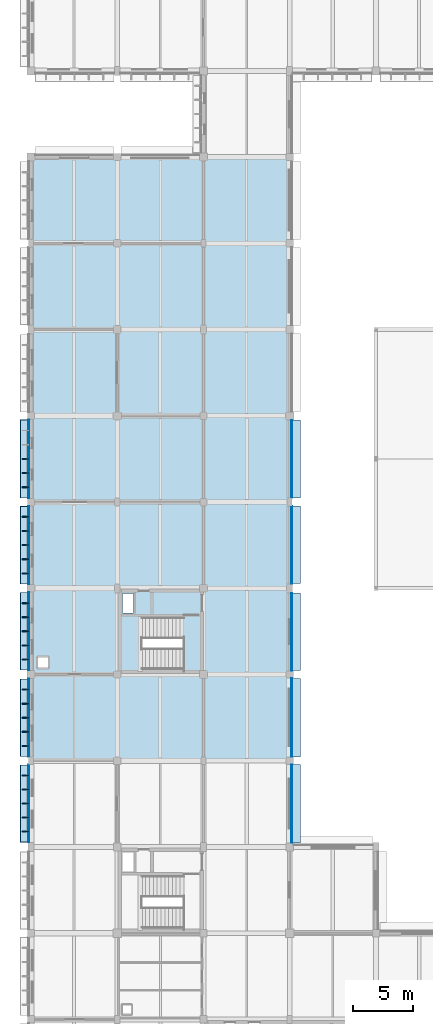
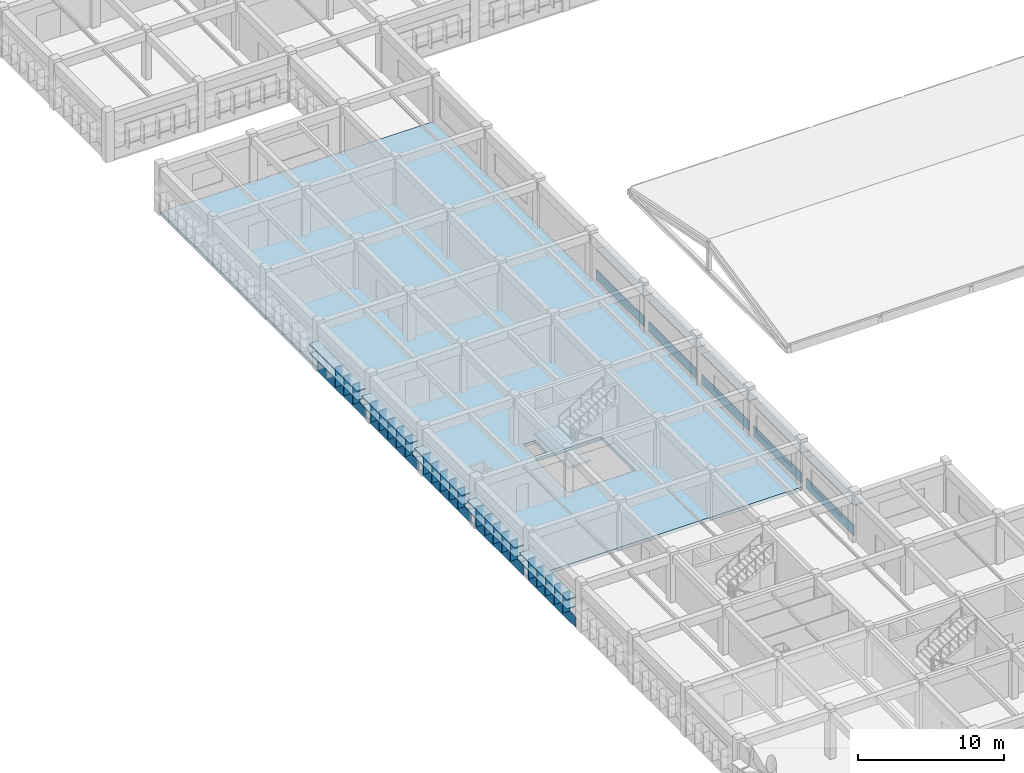
# One storey, part 68 of 103: 48 plates, 2 slabs, 1 element without a shape of its own.
"""IFC4 building model written with IfcOpenShell, lengths in metres."""

from ifc_helpers import new_model, si_unit, direction, frame, origin, origin_2d, place, context, subcontext, project, spatial, polyline, rectangle, outline, extrude, material, layer, layer_set, type_object, element, aggregate, save


model = new_model("IFC4")

# Units and contexts
model_context = context("Model", 3, precision=1e-05, world=origin(), true_north=direction((0.0, 1.0)))
body_context = subcontext(model_context, "Body", "Model", "MODEL_VIEW")
ifc_project = project(units=[si_unit("LENGTHUNIT", "METRE"), si_unit("AREAUNIT", "SQUARE_METRE"), si_unit("VOLUMEUNIT", "CUBIC_METRE"), si_unit("PLANEANGLEUNIT", "RADIAN"), si_unit("MASSUNIT", "GRAM", prefix="KILO")], contexts=[model_context])

# Site, building, storey
site_placement = place(None, origin())
site = spatial("IfcSite", under=ifc_project, at=site_placement, CompositionType="ELEMENT")
building_placement = place(site_placement, origin())
building = spatial("IfcBuilding", under=site, at=building_placement, Name="Thalmaran Polytechnic", CompositionType="ELEMENT")
storey_placement = place(building_placement, frame((0.0, 0.0, 14.39990234375)))
storey = spatial("IfcBuildingStorey", under=building, at=storey_placement, Name="L03", CompositionType="ELEMENT", Elevation=14.39990234375)

# Plates
ifc_material_1 = material(Name="Anodised aluminium spandrel band", Category="aluminium")
ifc_layer_1 = layer(ifc_material_1, 0.054931640625, Name="Anodised aluminium spandrel band")
ifc_layer_set_1 = layer_set([ifc_layer_1], Name="Anodised aluminium spandrel band")
plate_type_1 = type_object("IfcPlateType", Name="PT-BD01", PredefinedType="SHEET", material=ifc_layer_set_1)
plate_1_placement = place(storey_placement, frame((-0.195068359375, 32.427490234375, 0.020263671875), z_axis=(0.0, 0.0, 1.0), x_axis=(0.0, 1.0, 0.0)))
element("IfcPlate", 1, at=plate_1_placement, inside=storey, type_object=plate_type_1, Name="Streamline Horizontal Spandrel Band L03-033", PredefinedType="SHEET", context=body_context, shape_type="SweptSolid", body=[
    extrude(rectangle(XDim=6.465087890625, YDim=0.054931640625, at=origin_2d()), origin(), (0.0, 0.0, 1.0), 0.8798828125),
])
plate_2_placement = place(storey_placement, frame((-0.195068359375, 39.590087890625, 0.020263671875), z_axis=(0.0, 0.0, 1.0), x_axis=(0.0, 1.0, 0.0)))
element("IfcPlate", 2, at=plate_2_placement, inside=storey, type_object=plate_type_1, Name="Streamline Horizontal Spandrel Band L03-034", PredefinedType="SHEET", context=body_context, shape_type="SweptSolid", body=[
    extrude(rectangle(XDim=6.5, YDim=0.054931640625, at=origin_2d()), origin(), (0.0, 0.0, 1.0), 0.8798828125),
])
plate_3_placement = place(storey_placement, frame((-0.195068359375, 46.8076171875, 0.020263671875), z_axis=(0.0, 0.0, 1.0), x_axis=(0.0, 1.0, 0.0)))
element("IfcPlate", 3, at=plate_3_placement, inside=storey, type_object=plate_type_1, Name="Streamline Horizontal Spandrel Band L03-035", PredefinedType="SHEET", context=body_context, shape_type="SweptSolid", body=[
    extrude(rectangle(XDim=6.4951171875, YDim=0.054931640625, at=origin_2d()), origin(), (0.0, 0.0, 1.0), 0.8798828125),
])
plate_4_placement = place(storey_placement, frame((-0.195068359375, 54.007568359375, 0.020263671875), z_axis=(0.0, 0.0, 1.0), x_axis=(0.0, 1.0, 0.0)))
element("IfcPlate", 4, at=plate_4_placement, inside=storey, type_object=plate_type_1, Name="Streamline Horizontal Spandrel Band L03-036", PredefinedType="SHEET", context=body_context, shape_type="SweptSolid", body=[
    extrude(rectangle(XDim=6.52490234375, YDim=0.054931640625, at=origin_2d()), origin(), (0.0, 0.0, 1.0), 0.8798828125),
])
plate_5_placement = place(storey_placement, frame((-0.195068359375, 61.205078125, 0.020263671875), z_axis=(0.0, 0.0, 1.0), x_axis=(0.0, 1.0, 0.0)))
element("IfcPlate", 5, at=plate_5_placement, inside=storey, type_object=plate_type_1, Name="Streamline Horizontal Spandrel Band L03-037", PredefinedType="SHEET", context=body_context, shape_type="SweptSolid", body=[
    extrude(rectangle(XDim=6.550048828125, YDim=0.054931640625, at=origin_2d()), origin(), (0.0, 0.0, 1.0), 0.8798828125),
])
plate_6_placement = place(storey_placement, frame((21.77001953125, 61.18994140625, 0.020263671875), z_axis=(0.0, 0.0, 1.0), x_axis=(0.0, -1.0, 0.0)))
element("IfcPlate", 6, at=plate_6_placement, inside=storey, type_object=plate_type_1, Name="Streamline Horizontal Spandrel Band L03-093", PredefinedType="SHEET", context=body_context, shape_type="SweptSolid", body=[
    extrude(rectangle(XDim=6.5, YDim=0.054931640625, at=origin_2d()), origin(), (0.0, 0.0, 1.0), 0.8798828125),
])
plate_7_placement = place(storey_placement, frame((21.77001953125, 54.027587890625, 0.020263671875), z_axis=(0.0, 0.0, 1.0), x_axis=(0.0, -1.0, 0.0)))
element("IfcPlate", 7, at=plate_7_placement, inside=storey, type_object=plate_type_1, Name="Streamline Horizontal Spandrel Band L03-094", PredefinedType="SHEET", context=body_context, shape_type="SweptSolid", body=[
    extrude(rectangle(XDim=6.465087890625, YDim=0.054931640625, at=origin_2d()), origin(), (0.0, 0.0, 1.0), 0.8798828125),
])
plate_8_placement = place(storey_placement, frame((21.77001953125, 46.762451171875, 0.020263671875), z_axis=(0.0, 0.0, 1.0), x_axis=(0.0, -1.0, 0.0)))
element("IfcPlate", 8, at=plate_8_placement, inside=storey, type_object=plate_type_1, Name="Streamline Horizontal Spandrel Band L03-095", PredefinedType="SHEET", context=body_context, shape_type="SweptSolid", body=[
    extrude(rectangle(XDim=6.485107421875, YDim=0.054931640625, at=origin_2d()), origin(), (0.0, 0.0, 1.0), 0.8798828125),
])
plate_9_placement = place(storey_placement, frame((21.77001953125, 39.60498046875, 0.020263671875), z_axis=(0.0, 0.0, 1.0), x_axis=(0.0, -1.0, 0.0)))
element("IfcPlate", 9, at=plate_9_placement, inside=storey, type_object=plate_type_1, Name="Streamline Horizontal Spandrel Band L03-096", PredefinedType="SHEET", context=body_context, shape_type="SweptSolid", body=[
    extrude(rectangle(XDim=6.550048828125, YDim=0.054931640625, at=origin_2d()), origin(), (0.0, 0.0, 1.0), 0.8798828125),
])
plate_10_placement = place(storey_placement, frame((21.77001953125, 32.407470703125, 0.020263671875), z_axis=(0.0, 0.0, 1.0), x_axis=(0.0, -1.0, 0.0)))
element("IfcPlate", 10, at=plate_10_placement, inside=storey, type_object=plate_type_1, Name="Streamline Horizontal Spandrel Band L03-097", PredefinedType="SHEET", context=body_context, shape_type="SweptSolid", body=[
    extrude(rectangle(XDim=6.52490234375, YDim=0.054931640625, at=origin_2d()), origin(), (0.0, 0.0, 1.0), 0.8798828125),
])
ifc_material_2 = material(Name="Anodised aluminium sun-hood eyebrow", Category="aluminium")
ifc_layer_2 = layer(ifc_material_2, 0.0849609375, Name="Anodised aluminium sun-hood eyebrow")
ifc_layer_set_2 = layer_set([ifc_layer_2], Name="Anodised aluminium sun-hood eyebrow")
plate_type_2 = type_object("IfcPlateType", Name="PT-EB01", PredefinedType="SHEET", material=ifc_layer_set_2)
plate_11_placement = place(storey_placement, frame((-0.5400390625, 32.427490234375, 2.517578125), z_axis=(0.0, 0.0, 1.0), x_axis=(0.0, 1.0, 0.0)))
element("IfcPlate", 11, at=plate_11_placement, inside=storey, type_object=plate_type_2, Name="Streamline Sun-Hood Eyebrow L03-033", PredefinedType="SHEET", context=body_context, shape_type="SweptSolid", body=[
    extrude(rectangle(XDim=6.465087890625, YDim=0.760009765625, at=origin_2d()), origin(), (0.0, 0.0, 1.0), 0.0849609375),
])
plate_12_placement = place(storey_placement, frame((-0.52001953125, 32.427490234375, 1.74267578125), z_axis=(0.0, 0.0, 1.0), x_axis=(0.0, 1.0, 0.0)))
element("IfcPlate", 12, at=plate_12_placement, inside=storey, type_object=plate_type_2, Name="Abu Dhabi Horizontal Solar Louvre L03-033", PredefinedType="SHEET", context=body_context, shape_type="SweptSolid", body=[
    extrude(rectangle(XDim=6.425048828125, YDim=0.719970703125, at=origin_2d()), origin(), (0.0, 0.0, 1.0), 0.074951171875),
])
plate_13_placement = place(storey_placement, frame((-0.5400390625, 39.590087890625, 2.517578125), z_axis=(0.0, 0.0, 1.0), x_axis=(0.0, 1.0, 0.0)))
element("IfcPlate", 13, at=plate_13_placement, inside=storey, type_object=plate_type_2, Name="Streamline Sun-Hood Eyebrow L03-034", PredefinedType="SHEET", context=body_context, shape_type="SweptSolid", body=[
    extrude(rectangle(XDim=6.5, YDim=0.760009765625, at=origin_2d()), origin(), (0.0, 0.0, 1.0), 0.0849609375),
])
plate_14_placement = place(storey_placement, frame((-0.52001953125, 39.590087890625, 1.74267578125), z_axis=(0.0, 0.0, 1.0), x_axis=(0.0, 1.0, 0.0)))
element("IfcPlate", 14, at=plate_14_placement, inside=storey, type_object=plate_type_2, Name="Abu Dhabi Horizontal Solar Louvre L03-034", PredefinedType="SHEET", context=body_context, shape_type="SweptSolid", body=[
    extrude(rectangle(XDim=6.4599609375, YDim=0.719970703125, at=origin_2d()), origin(), (0.0, 0.0, 1.0), 0.074951171875),
])
plate_15_placement = place(storey_placement, frame((-0.5400390625, 46.8076171875, 2.517578125), z_axis=(0.0, 0.0, 1.0), x_axis=(0.0, 1.0, 0.0)))
element("IfcPlate", 15, at=plate_15_placement, inside=storey, type_object=plate_type_2, Name="Streamline Sun-Hood Eyebrow L03-035", PredefinedType="SHEET", context=body_context, shape_type="SweptSolid", body=[
    extrude(rectangle(XDim=6.4951171875, YDim=0.760009765625, at=origin_2d()), origin(), (0.0, 0.0, 1.0), 0.0849609375),
])
plate_16_placement = place(storey_placement, frame((-0.52001953125, 46.8076171875, 1.74267578125), z_axis=(0.0, 0.0, 1.0), x_axis=(0.0, 1.0, 0.0)))
element("IfcPlate", 16, at=plate_16_placement, inside=storey, type_object=plate_type_2, Name="Abu Dhabi Horizontal Solar Louvre L03-035", PredefinedType="SHEET", context=body_context, shape_type="SweptSolid", body=[
    extrude(rectangle(XDim=6.455078125, YDim=0.719970703125, at=origin_2d()), origin(), (0.0, 0.0, 1.0), 0.074951171875),
])
plate_17_placement = place(storey_placement, frame((-0.5400390625, 54.007568359375, 2.517578125), z_axis=(0.0, 0.0, 1.0), x_axis=(0.0, 1.0, 0.0)))
element("IfcPlate", 17, at=plate_17_placement, inside=storey, type_object=plate_type_2, Name="Streamline Sun-Hood Eyebrow L03-036", PredefinedType="SHEET", context=body_context, shape_type="SweptSolid", body=[
    extrude(rectangle(XDim=6.52490234375, YDim=0.760009765625, at=origin_2d()), origin(), (0.0, 0.0, 1.0), 0.0849609375),
])
plate_18_placement = place(storey_placement, frame((-0.52001953125, 54.007568359375, 1.74267578125), z_axis=(0.0, 0.0, 1.0), x_axis=(0.0, 1.0, 0.0)))
element("IfcPlate", 18, at=plate_18_placement, inside=storey, type_object=plate_type_2, Name="Abu Dhabi Horizontal Solar Louvre L03-036", PredefinedType="SHEET", context=body_context, shape_type="SweptSolid", body=[
    extrude(rectangle(XDim=6.485107421875, YDim=0.719970703125, at=origin_2d()), origin(), (0.0, 0.0, 1.0), 0.074951171875),
])
plate_19_placement = place(storey_placement, frame((-0.5400390625, 61.205078125, 2.517578125), z_axis=(0.0, 0.0, 1.0), x_axis=(0.0, 1.0, 0.0)))
element("IfcPlate", 19, at=plate_19_placement, inside=storey, type_object=plate_type_2, Name="Streamline Sun-Hood Eyebrow L03-037", PredefinedType="SHEET", context=body_context, shape_type="SweptSolid", body=[
    extrude(rectangle(XDim=6.550048828125, YDim=0.760009765625, at=origin_2d()), origin(), (0.0, 0.0, 1.0), 0.0849609375),
])
plate_20_placement = place(storey_placement, frame((-0.52001953125, 61.205078125, 1.74267578125), z_axis=(0.0, 0.0, 1.0), x_axis=(0.0, 1.0, 0.0)))
element("IfcPlate", 20, at=plate_20_placement, inside=storey, type_object=plate_type_2, Name="Abu Dhabi Horizontal Solar Louvre L03-037", PredefinedType="SHEET", context=body_context, shape_type="SweptSolid", body=[
    extrude(rectangle(XDim=6.510009765625, YDim=0.719970703125, at=origin_2d()), origin(), (0.0, 0.0, 1.0), 0.074951171875),
])
plate_21_placement = place(storey_placement, frame((22.114990234375, 61.18994140625, 2.517578125), z_axis=(0.0, 0.0, 1.0), x_axis=(0.0, -1.0, 0.0)))
element("IfcPlate", 21, at=plate_21_placement, inside=storey, type_object=plate_type_2, Name="Streamline Sun-Hood Eyebrow L03-093", PredefinedType="SHEET", context=body_context, shape_type="SweptSolid", body=[
    extrude(rectangle(XDim=6.5, YDim=0.760009765625, at=origin_2d()), origin(), (0.0, 0.0, 1.0), 0.0849609375),
])
plate_22_placement = place(storey_placement, frame((22.114990234375, 54.027587890625, 2.517578125), z_axis=(0.0, 0.0, 1.0), x_axis=(0.0, -1.0, 0.0)))
element("IfcPlate", 22, at=plate_22_placement, inside=storey, type_object=plate_type_2, Name="Streamline Sun-Hood Eyebrow L03-094", PredefinedType="SHEET", context=body_context, shape_type="SweptSolid", body=[
    extrude(rectangle(XDim=6.465087890625, YDim=0.760009765625, at=origin_2d()), origin(), (0.0, 0.0, 1.0), 0.0849609375),
])
plate_23_placement = place(storey_placement, frame((22.114990234375, 46.762451171875, 2.517578125), z_axis=(0.0, 0.0, 1.0), x_axis=(0.0, -1.0, 0.0)))
element("IfcPlate", 23, at=plate_23_placement, inside=storey, type_object=plate_type_2, Name="Streamline Sun-Hood Eyebrow L03-095", PredefinedType="SHEET", context=body_context, shape_type="SweptSolid", body=[
    extrude(rectangle(XDim=6.485107421875, YDim=0.760009765625, at=origin_2d()), origin(), (0.0, 0.0, 1.0), 0.0849609375),
])
plate_24_placement = place(storey_placement, frame((22.114990234375, 39.60498046875, 2.517578125), z_axis=(0.0, 0.0, 1.0), x_axis=(0.0, -1.0, 0.0)))
element("IfcPlate", 24, at=plate_24_placement, inside=storey, type_object=plate_type_2, Name="Streamline Sun-Hood Eyebrow L03-096", PredefinedType="SHEET", context=body_context, shape_type="SweptSolid", body=[
    extrude(rectangle(XDim=6.550048828125, YDim=0.760009765625, at=origin_2d()), origin(), (0.0, 0.0, 1.0), 0.0849609375),
])
plate_25_placement = place(storey_placement, frame((22.114990234375, 32.407470703125, 2.517578125), z_axis=(0.0, 0.0, 1.0), x_axis=(0.0, -1.0, 0.0)))
element("IfcPlate", 25, at=plate_25_placement, inside=storey, type_object=plate_type_2, Name="Streamline Sun-Hood Eyebrow L03-097", PredefinedType="SHEET", context=body_context, shape_type="SweptSolid", body=[
    extrude(rectangle(XDim=6.52490234375, YDim=0.760009765625, at=origin_2d()), origin(), (0.0, 0.0, 1.0), 0.0849609375),
])
ifc_material_3 = material(Name="Anodised bronze brise-soleil fin")
ifc_layer_3 = layer(ifc_material_3, 0.06494140625, Name="Anodised bronze brise-soleil fin")
ifc_layer_set_3 = layer_set([ifc_layer_3], Name="Anodised bronze brise-soleil fin")
plate_type_3 = type_object("IfcPlateType", Name="PT-FN01", PredefinedType="SHEET", material=ifc_layer_set_3)
for number, where, z_axis, x_axis, name in (
    (26, (-0.4599609375, 30.085693359375, 0.895263671875), (0.0, 0.0, 1.0), (0.0, 1.0, 0.0), "Abu Dhabi Solar Brise-Soleil Fin L03-033-1"),
    (27, (-0.4599609375, 31.256591796875, 0.895263671875), (0.0, 0.0, 1.0), (0.0, 1.0, 0.0), "Abu Dhabi Solar Brise-Soleil Fin L03-033-2"),
    (28, (-0.4599609375, 32.427490234375, 0.895263671875), (0.0, 0.0, 1.0), (0.0, 1.0, 0.0), "Abu Dhabi Solar Brise-Soleil Fin L03-033-3"),
    (29, (-0.4599609375, 33.598388671875, 0.895263671875), (0.0, 0.0, 1.0), (0.0, 1.0, 0.0), "Abu Dhabi Solar Brise-Soleil Fin L03-033-4"),
    (30, (-0.4599609375, 34.769287109375, 0.895263671875), (0.0, 0.0, 1.0), (0.0, 1.0, 0.0), "Abu Dhabi Solar Brise-Soleil Fin L03-033-5"),
    (31, (-0.4599609375, 37.235595703125, 0.895263671875), (0.0, 0.0, 1.0), (0.0, 1.0, 0.0), "Abu Dhabi Solar Brise-Soleil Fin L03-034-1"),
    (32, (-0.4599609375, 38.412841796875, 0.895263671875), (0.0, 0.0, 1.0), (0.0, 1.0, 0.0), "Abu Dhabi Solar Brise-Soleil Fin L03-034-2"),
    (33, (-0.4599609375, 39.590087890625, 0.895263671875), (0.0, 0.0, 1.0), (0.0, 1.0, 0.0), "Abu Dhabi Solar Brise-Soleil Fin L03-034-3"),
    (34, (-0.4599609375, 40.76708984375, 0.895263671875), (0.0, 0.0, 1.0), (0.0, 1.0, 0.0), "Abu Dhabi Solar Brise-Soleil Fin L03-034-4"),
    (35, (-0.4599609375, 41.9443359375, 0.895263671875), (0.0, 0.0, 1.0), (0.0, 1.0, 0.0), "Abu Dhabi Solar Brise-Soleil Fin L03-034-5"),
    (36, (-0.4599609375, 44.454833984375, 0.895263671875), (0.0, 0.0, 1.0), (0.0, 1.0, 0.0), "Abu Dhabi Solar Brise-Soleil Fin L03-035-1"),
    (37, (-0.4599609375, 45.631103515625, 0.895263671875), (0.0, 0.0, 1.0), (0.0, 1.0, 0.0), "Abu Dhabi Solar Brise-Soleil Fin L03-035-2"),
    (38, (-0.4599609375, 46.8076171875, 0.895263671875), (0.0, 0.0, 1.0), (0.0, 1.0, 0.0), "Abu Dhabi Solar Brise-Soleil Fin L03-035-3"),
    (39, (-0.4599609375, 47.98388671875, 0.895263671875), (0.0, 0.0, 1.0), (0.0, 1.0, 0.0), "Abu Dhabi Solar Brise-Soleil Fin L03-035-4"),
    (40, (-0.4599609375, 49.16015625, 0.895263671875), (0.0, 0.0, 1.0), (0.0, 1.0, 0.0), "Abu Dhabi Solar Brise-Soleil Fin L03-035-5"),
    (41, (-0.4599609375, 51.64404296875, 0.895263671875), (0.0, 0.0, 1.0), (0.0, 1.0, 0.0), "Abu Dhabi Solar Brise-Soleil Fin L03-036-1"),
    (42, (-0.4599609375, 52.82568359375, 0.895263671875), (0.0, 0.0, 1.0), (0.0, 1.0, 0.0), "Abu Dhabi Solar Brise-Soleil Fin L03-036-2"),
    (43, (-0.4599609375, 54.007568359375, 0.895263671875), (0.0, 0.0, 1.0), (0.0, 1.0, 0.0), "Abu Dhabi Solar Brise-Soleil Fin L03-036-3"),
    (44, (-0.4599609375, 55.189208984375, 0.895263671875), (0.0, 0.0, 1.0), (0.0, 1.0, 0.0), "Abu Dhabi Solar Brise-Soleil Fin L03-036-4"),
    (45, (-0.4599609375, 56.370849609375, 0.895263671875), (0.0, 0.0, 1.0), (0.0, 1.0, 0.0), "Abu Dhabi Solar Brise-Soleil Fin L03-036-5"),
    (46, (-0.4599609375, 58.83251953125, 0.895263671875), (0.0, 0.0, 1.0), (0.0, 1.0, 0.0), "Abu Dhabi Solar Brise-Soleil Fin L03-037-1"),
    (47, (-0.4599609375, 60.018798828125, 0.895263671875), (0.0, 0.0, 1.0), (0.0, 1.0, 0.0), "Abu Dhabi Solar Brise-Soleil Fin L03-037-2"),
    (48, (-0.4599609375, 61.205078125, 0.895263671875), (0.0, 0.0, 1.0), (0.0, 1.0, 0.0), "Abu Dhabi Solar Brise-Soleil Fin L03-037-3"),
):
    element("IfcPlate", number, at=place(storey_placement, frame(where, z_axis=z_axis, x_axis=x_axis)), inside=storey, type_object=plate_type_3, Name=name, PredefinedType="SHEET", context=body_context, shape_type="SweptSolid", body=[
        extrude(rectangle(XDim=0.06494140625, YDim=0.56005859375, at=origin_2d()), origin(), (0.0, 0.0, 1.0), 1.64990234375),
    ])

# Slab
ifc_material_4 = material(Name="Concrete C40/50", Category="concrete")
ifc_layer_4 = layer(ifc_material_4, 0.27490234375, Name="Concrete C40/50")
ifc_layer_set_4 = layer_set([ifc_layer_4], Name="Concrete C40/50")
slab_type_1 = type_object("IfcSlabType", Name="SL-FL05", PredefinedType="FLOOR", material=ifc_layer_set_4)
slab_1_placement = place(storey_placement, frame((0.0, 0.0, -0.27490234375)))
element("IfcSlab", 49, at=slab_1_placement, inside=storey, type_object=slab_type_1, Name="V1N L03 Structural Slab", PredefinedType="FLOOR", context=body_context, shape_type="SweptSolid", body=[
    extrude(outline(polyline([(0.0, 72.0), (0.0, 79.199951171875), (0.0, 86.39990234375), (7.199951171875, 86.39990234375), (14.39990234375, 86.39990234375), (21.60009765625, 86.39990234375), (21.60009765625, 79.199951171875), (21.60009765625, 72.0), (21.60009765625, 64.800048828125), (21.60009765625, 57.60009765625), (21.60009765625, 50.39990234375), (21.60009765625, 43.199951171875), (21.60009765625, 36.0), (14.39990234375, 36.0), (7.199951171875, 36.0), (0.0, 36.0), (0.0, 43.199951171875), (0.0, 50.39990234375), (0.0, 57.60009765625), (0.0, 64.800048828125), (0.0, 72.0)]), holes=[polyline([(7.449951171875, 43.449951171875), (12.719970703125, 43.449951171875), (12.719970703125, 48.0400390625), (7.449951171875, 48.0400390625), (7.449951171875, 43.449951171875)]), polyline([(7.639892578125, 49.9599609375), (7.639892578125, 48.340087890625), (8.56005859375, 48.340087890625), (8.56005859375, 49.9599609375), (7.639892578125, 49.9599609375)]), polyline([(1.449951171875, 44.64990234375), (0.550048828125, 44.64990234375), (0.550048828125, 43.75), (1.449951171875, 43.75), (1.449951171875, 44.64990234375)])]), origin(), (0.0, 0.0, 1.0), 0.27490234375),
])

# Stair, slab
stair_type = type_object("IfcStairType", Name="ST-HT42", PredefinedType="HALF_TURN_STAIR", material=ifc_material_4)
stair_placement = place(storey_placement, origin())
stair = element("IfcStair", 50, at=stair_placement, inside=storey, type_object=stair_type, Name="Exit Stair ST4 L03", PredefinedType="HALF_TURN_STAIR")
ifc_layer_5 = layer(ifc_material_4, 0.2099609375, Name="Concrete C40/50")
ifc_layer_set_5 = layer_set([ifc_layer_5], Name="Concrete C40/50")
slab_type_2 = type_object("IfcSlabType", Name="SL-LD01", PredefinedType="LANDING", material=ifc_layer_set_5)
slab_2_placement = place(storey_placement, frame((0.0, 0.0, 1.89013671875)))
slab_2 = element("IfcSlab", 51, at=slab_2_placement, type_object=slab_type_2, Name="ST4 L03 Half Landing", PredefinedType="LANDING", context=body_context, shape_type="SweptSolid", body=[
    extrude(outline(polyline([(7.43994140625, 43.43994140625), (9.260009765625, 43.43994140625), (9.260009765625, 48.139892578125), (7.43994140625, 48.139892578125), (7.43994140625, 43.43994140625)])), origin(), (0.0, 0.0, 1.0), 0.2099609375),
])
aggregate(stair, [slab_2])

save(model, "model.ifc")
